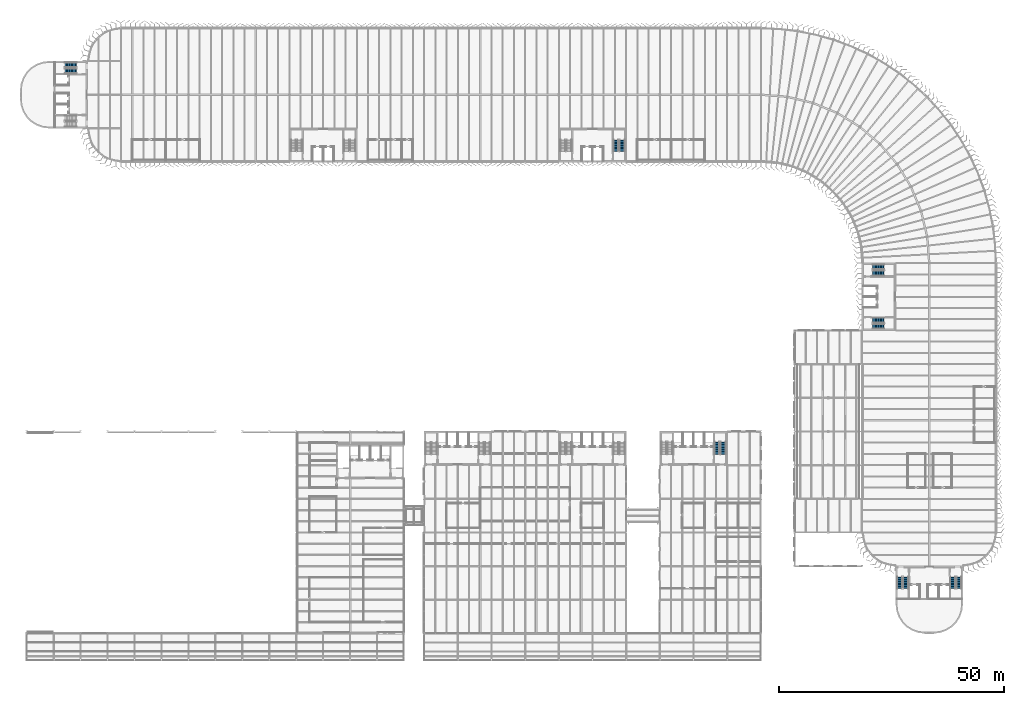
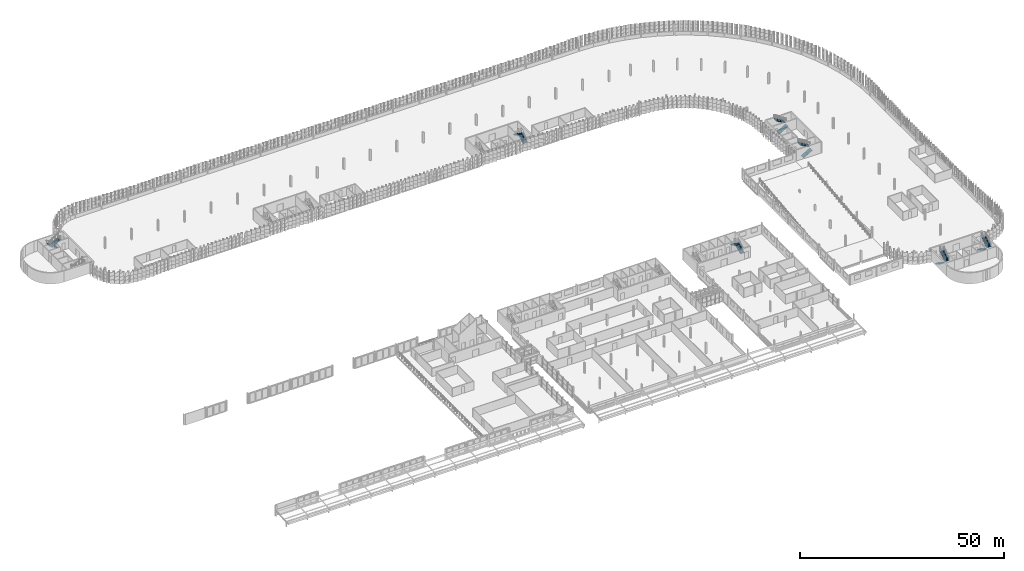
# One storey, part 81 of 214: 14 stair flights, 7 elements without a shape of their own.
"""IFC4 building model written with IfcOpenShell, lengths in metres."""

from ifc_helpers import new_model, si_unit, direction, frame, origin, place, context, subcontext, project, spatial, polyline, outline, extrude, material, type_object, element, aggregate, save


model = new_model("IFC4")

# Units and contexts
model_context = context("Model", 3, precision=1e-05, world=origin(), true_north=direction((0.0, 1.0)))
body_context = subcontext(model_context, "Body", "Model", "MODEL_VIEW")
ifc_project = project(units=[si_unit("LENGTHUNIT", "METRE"), si_unit("AREAUNIT", "SQUARE_METRE"), si_unit("VOLUMEUNIT", "CUBIC_METRE"), si_unit("PLANEANGLEUNIT", "RADIAN"), si_unit("MASSUNIT", "GRAM", prefix="KILO")], contexts=[model_context])

# Site, building, storey
site_placement = place(None, origin())
site = spatial("IfcSite", under=ifc_project, at=site_placement, CompositionType="ELEMENT")
building_placement = place(site_placement, origin())
building = spatial("IfcBuilding", under=site, at=building_placement, Name="Parallax Yard Mobility Hub", CompositionType="ELEMENT")
storey_placement = place(building_placement, frame((0.0, 0.0, 3.300048828125)))
storey = spatial("IfcBuildingStorey", under=building, at=storey_placement, Name="L01", CompositionType="ELEMENT", Elevation=3.300048828125)

# Stair, stair flights
ifc_material = material(Name="Concrete fc' 35 MPa", Category="concrete")
stair_type_1 = type_object("IfcStairType", Name="Exit stair 1200 dog-leg", PredefinedType="HALF_TURN_STAIR", material=ifc_material)
stair_1_placement = place(storey_placement, origin())
stair_1 = element("IfcStair", 1, at=stair_1_placement, inside=storey, type_object=stair_type_1, Name="L01 Exit stair 2 of core C-W", PredefinedType="HALF_TURN_STAIR")
stair_flight_type_1 = type_object("IfcStairFlightType", Name="Exit stair flight 1200", PredefinedType="STRAIGHT", material=ifc_material)
stair_flight_1_placement = place(storey_placement, frame((20.10009765625, 134.10009765625, 0.0), z_axis=(0.0, 0.0, 1.0), x_axis=(-1.0, 0.0, 0.0)))
stair_flight_1 = element("IfcStairFlight", 2, at=stair_flight_1_placement, type_object=stair_flight_type_1, Name="ST2 flight 1", NumberOfRisers=10, NumberOfTreads=9, PredefinedType="STRAIGHT", RiserHeight=0.165, TreadLength=0.285, context=body_context, shape_type="SweptSolid", body=[
    extrude(outline(polyline([(0.0, 0.0), (0.0, 0.1650390625), (0.284912109375, 0.1650390625), (0.284912109375, 0.330078125), (0.570068359375, 0.330078125), (0.570068359375, 0.4951171875), (0.85498046875, 0.4951171875), (0.85498046875, 0.659912109375), (1.139892578125, 0.659912109375), (1.139892578125, 0.824951171875), (1.425048828125, 0.824951171875), (1.425048828125, 0.989990234375), (1.7099609375, 0.989990234375), (1.7099609375, 1.155029296875), (1.9951171875, 1.155029296875), (1.9951171875, 1.320068359375), (2.280029296875, 1.320068359375), (2.280029296875, 1.485107421875), (2.56494140625, 1.485107421875), (2.56494140625, 1.64990234375), (2.56494140625, 1.311767578125), (0.299072265625, 0.0), (0.0, 0.0)])), frame((0.0, 0.60009765625, 0.0), z_axis=(0.0, -1.0, 0.0), x_axis=(1.0, 0.0, 0.0)), (0.0, 0.0, 1.0), 1.199951171875),
])
stair_flight_2_placement = place(storey_placement, frame((17.534912109375, 132.75, 1.64990234375), z_axis=(0.0, 0.0, 1.0), x_axis=(1.0, 0.0, 0.0)))
stair_flight_2 = element("IfcStairFlight", 3, at=stair_flight_2_placement, type_object=stair_flight_type_1, Name="ST2 flight 2", NumberOfRisers=10, NumberOfTreads=9, PredefinedType="STRAIGHT", RiserHeight=0.165, TreadLength=0.285, context=body_context, shape_type="SweptSolid", body=[
    extrude(outline(polyline([(0.0, 0.0), (0.0, 0.1650390625), (0.284912109375, 0.1650390625), (0.284912109375, 0.330078125), (0.570068359375, 0.330078125), (0.570068359375, 0.4951171875), (0.85498046875, 0.4951171875), (0.85498046875, 0.659912109375), (1.139892578125, 0.659912109375), (1.139892578125, 0.824951171875), (1.425048828125, 0.824951171875), (1.425048828125, 0.989990234375), (1.7099609375, 0.989990234375), (1.7099609375, 1.155029296875), (1.9951171875, 1.155029296875), (1.9951171875, 1.320068359375), (2.280029296875, 1.320068359375), (2.280029296875, 1.485107421875), (2.56494140625, 1.485107421875), (2.56494140625, 1.64990234375), (2.56494140625, 1.311767578125), (0.299072265625, 0.0), (0.0, 0.0)])), frame((0.0, 0.60009765625, 0.0), z_axis=(0.0, -1.0, 0.0), x_axis=(1.0, 0.0, 0.0)), (0.0, 0.0, 1.0), 1.199951171875),
])
aggregate(stair_1, [stair_flight_1, stair_flight_2])

stair_2_placement = place(storey_placement, origin())
stair_2 = element("IfcStair", 4, at=stair_2_placement, inside=storey, type_object=stair_type_1, Name="L01 Exit stair 1 of core C-N2", PredefinedType="HALF_TURN_STAIR")
stair_flight_3_placement = place(storey_placement, frame((141.60009765625, 114.89990234375, 0.0), z_axis=(0.0, 0.0, 1.0), x_axis=(0.0, 1.0, 0.0)))
stair_flight_3 = element("IfcStairFlight", 5, at=stair_flight_3_placement, type_object=stair_flight_type_1, Name="ST5 flight 1", NumberOfRisers=10, NumberOfTreads=9, PredefinedType="STRAIGHT", RiserHeight=0.165, TreadLength=0.285, context=body_context, shape_type="SweptSolid", body=[
    extrude(outline(polyline([(0.0, 0.0), (0.0, 0.1650390625), (0.284912109375, 0.1650390625), (0.284912109375, 0.330078125), (0.570068359375, 0.330078125), (0.570068359375, 0.4951171875), (0.85498046875, 0.4951171875), (0.85498046875, 0.659912109375), (1.139892578125, 0.659912109375), (1.139892578125, 0.824951171875), (1.425048828125, 0.824951171875), (1.425048828125, 0.989990234375), (1.7099609375, 0.989990234375), (1.7099609375, 1.155029296875), (1.9951171875, 1.155029296875), (1.9951171875, 1.320068359375), (2.280029296875, 1.320068359375), (2.280029296875, 1.485107421875), (2.56494140625, 1.485107421875), (2.56494140625, 1.64990234375), (2.56494140625, 1.311767578125), (0.299072265625, 0.0), (0.0, 0.0)])), frame((0.0, 0.60009765625, 0.0), z_axis=(0.0, -1.0, 0.0), x_axis=(1.0, 0.0, 0.0)), (0.0, 0.0, 1.0), 1.199951171875),
])
stair_flight_4_placement = place(storey_placement, frame((140.25, 117.465087890625, 1.64990234375), z_axis=(0.0, 0.0, 1.0), x_axis=(0.0, -1.0, 0.0)))
stair_flight_4 = element("IfcStairFlight", 6, at=stair_flight_4_placement, type_object=stair_flight_type_1, Name="ST5 flight 2", NumberOfRisers=10, NumberOfTreads=9, PredefinedType="STRAIGHT", RiserHeight=0.165, TreadLength=0.285, context=body_context, shape_type="SweptSolid", body=[
    extrude(outline(polyline([(0.0, 0.0), (0.0, 0.1650390625), (0.284912109375, 0.1650390625), (0.284912109375, 0.330078125), (0.570068359375, 0.330078125), (0.570068359375, 0.4951171875), (0.85498046875, 0.4951171875), (0.85498046875, 0.659912109375), (1.139892578125, 0.659912109375), (1.139892578125, 0.824951171875), (1.425048828125, 0.824951171875), (1.425048828125, 0.989990234375), (1.7099609375, 0.989990234375), (1.7099609375, 1.155029296875), (1.9951171875, 1.155029296875), (1.9951171875, 1.320068359375), (2.280029296875, 1.320068359375), (2.280029296875, 1.485107421875), (2.56494140625, 1.485107421875), (2.56494140625, 1.64990234375), (2.56494140625, 1.311767578125), (0.299072265625, 0.0), (0.0, 0.0)])), frame((0.0, 0.60009765625, 0.0), z_axis=(0.0, -1.0, 0.0), x_axis=(1.0, 0.0, 0.0)), (0.0, 0.0, 1.0), 1.199951171875),
])
aggregate(stair_2, [stair_flight_3, stair_flight_4])

stair_3_placement = place(storey_placement, origin())
stair_3 = element("IfcStair", 7, at=stair_3_placement, inside=storey, type_object=stair_type_1, Name="L01 Exit stair 1 of core C-E", PredefinedType="HALF_TURN_STAIR")
stair_flight_5_placement = place(storey_placement, frame((197.39990234375, 75.89990234375, 0.0), z_axis=(0.0, 0.0, 1.0), x_axis=(1.0, 0.0, 0.0)))
stair_flight_5 = element("IfcStairFlight", 8, at=stair_flight_5_placement, type_object=stair_flight_type_1, Name="ST7 flight 1", NumberOfRisers=10, NumberOfTreads=9, PredefinedType="STRAIGHT", RiserHeight=0.165, TreadLength=0.285, context=body_context, shape_type="SweptSolid", body=[
    extrude(outline(polyline([(0.0, 0.0), (0.0, 0.1650390625), (0.284912109375, 0.1650390625), (0.284912109375, 0.330078125), (0.570068359375, 0.330078125), (0.570068359375, 0.4951171875), (0.85498046875, 0.4951171875), (0.85498046875, 0.659912109375), (1.139892578125, 0.659912109375), (1.139892578125, 0.824951171875), (1.425048828125, 0.824951171875), (1.425048828125, 0.989990234375), (1.7099609375, 0.989990234375), (1.7099609375, 1.155029296875), (1.9951171875, 1.155029296875), (1.9951171875, 1.320068359375), (2.280029296875, 1.320068359375), (2.280029296875, 1.485107421875), (2.56494140625, 1.485107421875), (2.56494140625, 1.64990234375), (2.56494140625, 1.311767578125), (0.299072265625, 0.0), (0.0, 0.0)])), frame((0.0, 0.60009765625, 0.0), z_axis=(0.0, -1.0, 0.0), x_axis=(1.0, 0.0, 0.0)), (0.0, 0.0, 1.0), 1.199951171875),
])
stair_flight_6_placement = place(storey_placement, frame((199.965087890625, 77.25, 1.64990234375), z_axis=(0.0, 0.0, 1.0), x_axis=(-1.0, 0.0, 0.0)))
stair_flight_6 = element("IfcStairFlight", 9, at=stair_flight_6_placement, type_object=stair_flight_type_1, Name="ST7 flight 2", NumberOfRisers=10, NumberOfTreads=9, PredefinedType="STRAIGHT", RiserHeight=0.165, TreadLength=0.285, context=body_context, shape_type="SweptSolid", body=[
    extrude(outline(polyline([(0.0, 0.0), (0.0, 0.1650390625), (0.284912109375, 0.1650390625), (0.284912109375, 0.330078125), (0.570068359375, 0.330078125), (0.570068359375, 0.4951171875), (0.85498046875, 0.4951171875), (0.85498046875, 0.659912109375), (1.139892578125, 0.659912109375), (1.139892578125, 0.824951171875), (1.425048828125, 0.824951171875), (1.425048828125, 0.989990234375), (1.7099609375, 0.989990234375), (1.7099609375, 1.155029296875), (1.9951171875, 1.155029296875), (1.9951171875, 1.320068359375), (2.280029296875, 1.320068359375), (2.280029296875, 1.485107421875), (2.56494140625, 1.485107421875), (2.56494140625, 1.64990234375), (2.56494140625, 1.311767578125), (0.299072265625, 0.0), (0.0, 0.0)])), frame((0.0, 0.60009765625, 0.0), z_axis=(0.0, -1.0, 0.0), x_axis=(1.0, 0.0, 0.0)), (0.0, 0.0, 1.0), 1.199951171875),
])
aggregate(stair_3, [stair_flight_5, stair_flight_6])

stair_4_placement = place(storey_placement, origin())
stair_4 = element("IfcStair", 10, at=stair_4_placement, inside=storey, type_object=stair_type_1, Name="L01 Exit stair 2 of core C-E", PredefinedType="HALF_TURN_STAIR")
stair_flight_7_placement = place(storey_placement, frame((197.39990234375, 87.75, 0.0), z_axis=(0.0, 0.0, 1.0), x_axis=(1.0, 0.0, 0.0)))
stair_flight_7 = element("IfcStairFlight", 11, at=stair_flight_7_placement, type_object=stair_flight_type_1, Name="ST8 flight 1", NumberOfRisers=10, NumberOfTreads=9, PredefinedType="STRAIGHT", RiserHeight=0.165, TreadLength=0.285, context=body_context, shape_type="SweptSolid", body=[
    extrude(outline(polyline([(0.0, 0.0), (0.0, 0.1650390625), (0.284912109375, 0.1650390625), (0.284912109375, 0.330078125), (0.570068359375, 0.330078125), (0.570068359375, 0.4951171875), (0.85498046875, 0.4951171875), (0.85498046875, 0.659912109375), (1.139892578125, 0.659912109375), (1.139892578125, 0.824951171875), (1.425048828125, 0.824951171875), (1.425048828125, 0.989990234375), (1.7099609375, 0.989990234375), (1.7099609375, 1.155029296875), (1.9951171875, 1.155029296875), (1.9951171875, 1.320068359375), (2.280029296875, 1.320068359375), (2.280029296875, 1.485107421875), (2.56494140625, 1.485107421875), (2.56494140625, 1.64990234375), (2.56494140625, 1.311767578125), (0.299072265625, 0.0), (0.0, 0.0)])), frame((0.0, 0.60009765625, 0.0), z_axis=(0.0, -1.0, 0.0), x_axis=(1.0, 0.0, 0.0)), (0.0, 0.0, 1.0), 1.199951171875),
])
stair_flight_8_placement = place(storey_placement, frame((199.965087890625, 89.10009765625, 1.64990234375), z_axis=(0.0, 0.0, 1.0), x_axis=(-1.0, 0.0, 0.0)))
stair_flight_8 = element("IfcStairFlight", 12, at=stair_flight_8_placement, type_object=stair_flight_type_1, Name="ST8 flight 2", NumberOfRisers=10, NumberOfTreads=9, PredefinedType="STRAIGHT", RiserHeight=0.165, TreadLength=0.285, context=body_context, shape_type="SweptSolid", body=[
    extrude(outline(polyline([(0.0, 0.0), (0.0, 0.1650390625), (0.284912109375, 0.1650390625), (0.284912109375, 0.330078125), (0.570068359375, 0.330078125), (0.570068359375, 0.4951171875), (0.85498046875, 0.4951171875), (0.85498046875, 0.659912109375), (1.139892578125, 0.659912109375), (1.139892578125, 0.824951171875), (1.425048828125, 0.824951171875), (1.425048828125, 0.989990234375), (1.7099609375, 0.989990234375), (1.7099609375, 1.155029296875), (1.9951171875, 1.155029296875), (1.9951171875, 1.320068359375), (2.280029296875, 1.320068359375), (2.280029296875, 1.485107421875), (2.56494140625, 1.485107421875), (2.56494140625, 1.64990234375), (2.56494140625, 1.311767578125), (0.299072265625, 0.0), (0.0, 0.0)])), frame((0.0, 0.60009765625, 0.0), z_axis=(0.0, -1.0, 0.0), x_axis=(1.0, 0.0, 0.0)), (0.0, 0.0, 1.0), 1.199951171875),
])
aggregate(stair_4, [stair_flight_7, stair_flight_8])

stair_5_placement = place(storey_placement, origin())
stair_5 = element("IfcStair", 13, at=stair_5_placement, inside=storey, type_object=stair_type_1, Name="L01 Exit stair 1 of core C-S", PredefinedType="HALF_TURN_STAIR")
stair_flight_9_placement = place(storey_placement, frame((215.25, 20.10009765625, 0.0), z_axis=(0.0, 0.0, 1.0), x_axis=(0.0, -1.0, 0.0)))
stair_flight_9 = element("IfcStairFlight", 14, at=stair_flight_9_placement, type_object=stair_flight_type_1, Name="ST9 flight 1", NumberOfRisers=10, NumberOfTreads=9, PredefinedType="STRAIGHT", RiserHeight=0.165, TreadLength=0.285, context=body_context, shape_type="SweptSolid", body=[
    extrude(outline(polyline([(0.0, 0.0), (0.0, 0.1650390625), (0.284912109375, 0.1650390625), (0.284912109375, 0.330078125), (0.570068359375, 0.330078125), (0.570068359375, 0.4951171875), (0.85498046875, 0.4951171875), (0.85498046875, 0.659912109375), (1.139892578125, 0.659912109375), (1.139892578125, 0.824951171875), (1.425048828125, 0.824951171875), (1.425048828125, 0.989990234375), (1.7099609375, 0.989990234375), (1.7099609375, 1.155029296875), (1.9951171875, 1.155029296875), (1.9951171875, 1.320068359375), (2.280029296875, 1.320068359375), (2.280029296875, 1.485107421875), (2.56494140625, 1.485107421875), (2.56494140625, 1.64990234375), (2.56494140625, 1.311767578125), (0.299072265625, 0.0), (0.0, 0.0)])), frame((0.0, 0.60009765625, 0.0), z_axis=(0.0, -1.0, 0.0), x_axis=(1.0, 0.0, 0.0)), (0.0, 0.0, 1.0), 1.199951171875),
])
stair_flight_10_placement = place(storey_placement, frame((216.60009765625, 17.534912109375, 1.64990234375), z_axis=(0.0, 0.0, 1.0), x_axis=(0.0, 1.0, 0.0)))
stair_flight_10 = element("IfcStairFlight", 15, at=stair_flight_10_placement, type_object=stair_flight_type_1, Name="ST9 flight 2", NumberOfRisers=10, NumberOfTreads=9, PredefinedType="STRAIGHT", RiserHeight=0.165, TreadLength=0.285, context=body_context, shape_type="SweptSolid", body=[
    extrude(outline(polyline([(0.0, 0.0), (0.0, 0.1650390625), (0.284912109375, 0.1650390625), (0.284912109375, 0.330078125), (0.570068359375, 0.330078125), (0.570068359375, 0.4951171875), (0.85498046875, 0.4951171875), (0.85498046875, 0.659912109375), (1.139892578125, 0.659912109375), (1.139892578125, 0.824951171875), (1.425048828125, 0.824951171875), (1.425048828125, 0.989990234375), (1.7099609375, 0.989990234375), (1.7099609375, 1.155029296875), (1.9951171875, 1.155029296875), (1.9951171875, 1.320068359375), (2.280029296875, 1.320068359375), (2.280029296875, 1.485107421875), (2.56494140625, 1.485107421875), (2.56494140625, 1.64990234375), (2.56494140625, 1.311767578125), (0.299072265625, 0.0), (0.0, 0.0)])), frame((0.0, 0.60009765625, 0.0), z_axis=(0.0, -1.0, 0.0), x_axis=(1.0, 0.0, 0.0)), (0.0, 0.0, 1.0), 1.199951171875),
])
aggregate(stair_5, [stair_flight_9, stair_flight_10])

stair_6_placement = place(storey_placement, origin())
stair_6 = element("IfcStair", 16, at=stair_6_placement, inside=storey, type_object=stair_type_1, Name="L01 Exit stair 2 of core C-S", PredefinedType="HALF_TURN_STAIR")
stair_flight_11_placement = place(storey_placement, frame((203.39990234375, 20.10009765625, 0.0), z_axis=(0.0, 0.0, 1.0), x_axis=(0.0, -1.0, 0.0)))
stair_flight_11 = element("IfcStairFlight", 17, at=stair_flight_11_placement, type_object=stair_flight_type_1, Name="ST10 flight 1", NumberOfRisers=10, NumberOfTreads=9, PredefinedType="STRAIGHT", RiserHeight=0.165, TreadLength=0.285, context=body_context, shape_type="SweptSolid", body=[
    extrude(outline(polyline([(0.0, 0.0), (0.0, 0.1650390625), (0.284912109375, 0.1650390625), (0.284912109375, 0.330078125), (0.570068359375, 0.330078125), (0.570068359375, 0.4951171875), (0.85498046875, 0.4951171875), (0.85498046875, 0.659912109375), (1.139892578125, 0.659912109375), (1.139892578125, 0.824951171875), (1.425048828125, 0.824951171875), (1.425048828125, 0.989990234375), (1.7099609375, 0.989990234375), (1.7099609375, 1.155029296875), (1.9951171875, 1.155029296875), (1.9951171875, 1.320068359375), (2.280029296875, 1.320068359375), (2.280029296875, 1.485107421875), (2.56494140625, 1.485107421875), (2.56494140625, 1.64990234375), (2.56494140625, 1.311767578125), (0.299072265625, 0.0), (0.0, 0.0)])), frame((0.0, 0.60009765625, 0.0), z_axis=(0.0, -1.0, 0.0), x_axis=(1.0, 0.0, 0.0)), (0.0, 0.0, 1.0), 1.199951171875),
])
stair_flight_12_placement = place(storey_placement, frame((204.75, 17.534912109375, 1.64990234375), z_axis=(0.0, 0.0, 1.0), x_axis=(0.0, 1.0, 0.0)))
stair_flight_12 = element("IfcStairFlight", 18, at=stair_flight_12_placement, type_object=stair_flight_type_1, Name="ST10 flight 2", NumberOfRisers=10, NumberOfTreads=9, PredefinedType="STRAIGHT", RiserHeight=0.165, TreadLength=0.285, context=body_context, shape_type="SweptSolid", body=[
    extrude(outline(polyline([(0.0, 0.0), (0.0, 0.1650390625), (0.284912109375, 0.1650390625), (0.284912109375, 0.330078125), (0.570068359375, 0.330078125), (0.570068359375, 0.4951171875), (0.85498046875, 0.4951171875), (0.85498046875, 0.659912109375), (1.139892578125, 0.659912109375), (1.139892578125, 0.824951171875), (1.425048828125, 0.824951171875), (1.425048828125, 0.989990234375), (1.7099609375, 0.989990234375), (1.7099609375, 1.155029296875), (1.9951171875, 1.155029296875), (1.9951171875, 1.320068359375), (2.280029296875, 1.320068359375), (2.280029296875, 1.485107421875), (2.56494140625, 1.485107421875), (2.56494140625, 1.64990234375), (2.56494140625, 1.311767578125), (0.299072265625, 0.0), (0.0, 0.0)])), frame((0.0, 0.60009765625, 0.0), z_axis=(0.0, -1.0, 0.0), x_axis=(1.0, 0.0, 0.0)), (0.0, 0.0, 1.0), 1.199951171875),
])
aggregate(stair_6, [stair_flight_11, stair_flight_12])

stair_type_2 = type_object("IfcStairType", Name="Public hall stair 1200 dog-leg", PredefinedType="HALF_TURN_STAIR", material=ifc_material)
stair_7_placement = place(storey_placement, origin())
stair_7 = element("IfcStair", 19, at=stair_7_placement, inside=storey, type_object=stair_type_2, Name="L01 Exit stair 2 of core C5", PredefinedType="HALF_TURN_STAIR")
stair_flight_type_2 = type_object("IfcStairFlightType", Name="Public hall stair flight 1200", PredefinedType="STRAIGHT", material=ifc_material)
stair_flight_13_placement = place(storey_placement, frame((164.10009765625, 47.39990234375, 0.0), z_axis=(0.0, 0.0, 1.0), x_axis=(0.0, 1.0, 0.0)))
stair_flight_13 = element("IfcStairFlight", 20, at=stair_flight_13_placement, type_object=stair_flight_type_2, Name="ST16 flight 1", NumberOfRisers=10, NumberOfTreads=9, PredefinedType="STRAIGHT", RiserHeight=0.165, TreadLength=0.31, context=body_context, shape_type="SweptSolid", body=[
    extrude(outline(polyline([(0.0, 0.0), (0.0, 0.1650390625), (0.31005859375, 0.1650390625), (0.31005859375, 0.330078125), (0.6201171875, 0.330078125), (0.6201171875, 0.4951171875), (0.929931640625, 0.4951171875), (0.929931640625, 0.659912109375), (1.239990234375, 0.659912109375), (1.239990234375, 0.824951171875), (1.550048828125, 0.824951171875), (1.550048828125, 0.989990234375), (1.860107421875, 0.989990234375), (1.860107421875, 1.155029296875), (2.169921875, 1.155029296875), (2.169921875, 1.320068359375), (2.47998046875, 1.320068359375), (2.47998046875, 1.485107421875), (2.7900390625, 1.485107421875), (2.7900390625, 1.64990234375), (2.7900390625, 1.315185546875), (0.319091796875, 0.0), (0.0, 0.0)])), frame((0.0, 0.60009765625, 0.0), z_axis=(0.0, -1.0, 0.0), x_axis=(1.0, 0.0, 0.0)), (0.0, 0.0, 1.0), 1.199951171875),
])
stair_flight_14_placement = place(storey_placement, frame((162.75, 50.18994140625, 1.64990234375), z_axis=(0.0, 0.0, 1.0), x_axis=(0.0, -1.0, 0.0)))
stair_flight_14 = element("IfcStairFlight", 21, at=stair_flight_14_placement, type_object=stair_flight_type_2, Name="ST16 flight 2", NumberOfRisers=10, NumberOfTreads=9, PredefinedType="STRAIGHT", RiserHeight=0.165, TreadLength=0.31, context=body_context, shape_type="SweptSolid", body=[
    extrude(outline(polyline([(0.0, 0.0), (0.0, 0.1650390625), (0.31005859375, 0.1650390625), (0.31005859375, 0.330078125), (0.6201171875, 0.330078125), (0.6201171875, 0.4951171875), (0.929931640625, 0.4951171875), (0.929931640625, 0.659912109375), (1.239990234375, 0.659912109375), (1.239990234375, 0.824951171875), (1.550048828125, 0.824951171875), (1.550048828125, 0.989990234375), (1.860107421875, 0.989990234375), (1.860107421875, 1.155029296875), (2.169921875, 1.155029296875), (2.169921875, 1.320068359375), (2.47998046875, 1.320068359375), (2.47998046875, 1.485107421875), (2.7900390625, 1.485107421875), (2.7900390625, 1.64990234375), (2.7900390625, 1.315185546875), (0.319091796875, 0.0), (0.0, 0.0)])), frame((0.0, 0.60009765625, 0.0), z_axis=(0.0, -1.0, 0.0), x_axis=(1.0, 0.0, 0.0)), (0.0, 0.0, 1.0), 1.199951171875),
])
aggregate(stair_7, [stair_flight_13, stair_flight_14])

save(model, "model.ifc")
